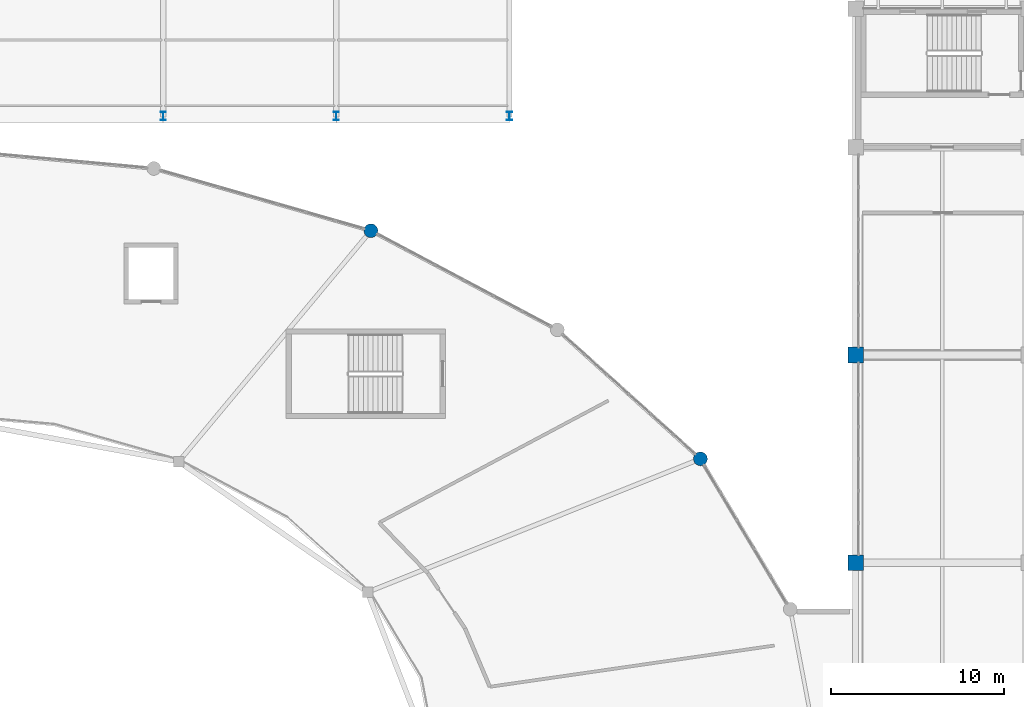
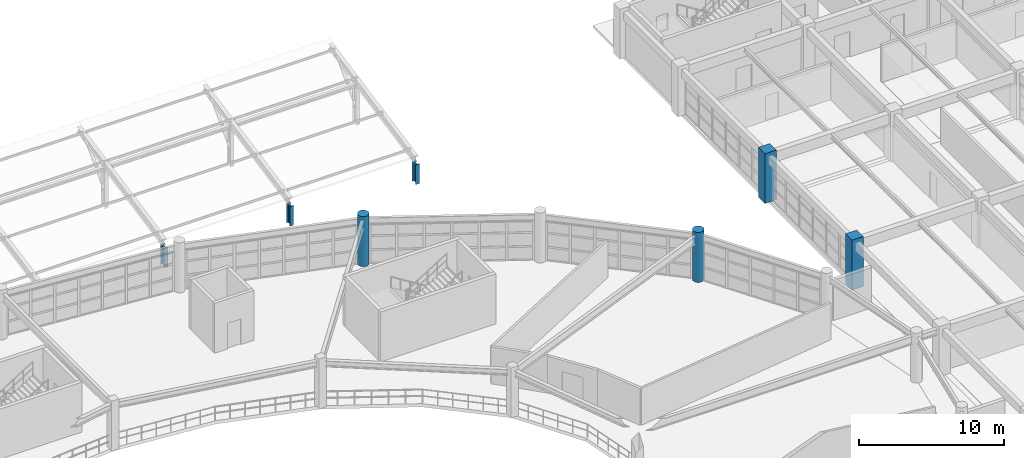
# One storey, part 13 of 100: 7 columns.
"""IFC4 building model written with IfcOpenShell, lengths in metres."""

from ifc_helpers import new_model, si_unit, direction, frame, origin, origin_2d, place, context, subcontext, project, spatial, rectangle, circle, i_section, extrude, material, material_profile, profile_set, type_object, element, save


model = new_model("IFC4")

# Units and contexts
model_context = context("Model", 3, precision=1e-05, world=origin(), true_north=direction((0.0, 1.0)))
body_context = subcontext(model_context, "Body", "Model", "MODEL_VIEW")
ifc_project = project(units=[si_unit("LENGTHUNIT", "METRE"), si_unit("AREAUNIT", "SQUARE_METRE"), si_unit("VOLUMEUNIT", "CUBIC_METRE"), si_unit("PLANEANGLEUNIT", "RADIAN"), si_unit("MASSUNIT", "GRAM", prefix="KILO")], contexts=[model_context])

# Site, building, storey
site_placement = place(None, origin())
site = spatial("IfcSite", under=ifc_project, at=site_placement, CompositionType="ELEMENT")
building_placement = place(site_placement, origin())
building = spatial("IfcBuilding", under=site, at=building_placement, Name="Kivolera Central Railway Station", CompositionType="ELEMENT")
storey_placement = place(building_placement, frame((0.0, 0.0, 5.39990234375)))
storey = spatial("IfcBuildingStorey", under=building, at=storey_placement, Name="L01", CompositionType="ELEMENT", Elevation=5.39990234375)

# Columns
ifc_material_1 = material(Name="Concrete C40/50", Category="concrete")
ifc_material_profile_1 = material_profile(ifc_material_1, rectangle(XDim=0.89990234375, YDim=0.89990234375, at=origin_2d()), Name="RC 900x900")
ifc_profile_set_1 = profile_set([ifc_material_profile_1], Name="Concrete C40/50")
column_type_1 = type_object("IfcColumnType", Name="COL-RC-900", PredefinedType="COLUMN", material=ifc_profile_set_1)
for number, where, z_axis, x_axis, name in (
    (1, (118.0, 102.0, 0.0), (0.0, 0.0, 1.0), (1.0, 0.0, 0.0), "L01 Wing Column 12-J"),
    (2, (118.0, 114.0, 0.0), (0.0, 0.0, 1.0), (1.0, 0.0, 0.0), "L01 Wing Column 12-K"),
):
    element("IfcColumn", number, at=place(storey_placement, frame(where, z_axis=z_axis, x_axis=x_axis)), inside=storey, type_object=column_type_1, Name=name, PredefinedType="COLUMN", context=body_context, shape_type="SweptSolid", body=[
        extrude(rectangle(XDim=0.89990234375, YDim=0.89990234375, at=origin_2d()), origin(), (0.0, 0.0, 1.0), 4.2001953125),
    ])
ifc_material_profile_2 = material_profile(ifc_material_1, circle(Radius=0.39990234375, at=origin_2d()), Name="RC D800")
ifc_profile_set_2 = profile_set([ifc_material_profile_2], Name="Concrete C40/50")
column_type_2 = type_object("IfcColumnType", Name="COL-RC-D800", PredefinedType="COLUMN", material=ifc_profile_set_2)
for number, where, z_axis, x_axis, name in (
    (3, (109.032958984375, 108.0, 0.0), (0.0, 0.0, 1.0), (1.0, 0.0, 0.0), "L01 Oval Drum Perimeter Column P03"),
    (4, (90.0, 121.177001953125, 0.0), (0.0, 0.0, 1.0), (1.0, 0.0, 0.0), "L01 Oval Drum Perimeter Column P05"),
):
    element("IfcColumn", number, at=place(storey_placement, frame(where, z_axis=z_axis, x_axis=x_axis)), inside=storey, type_object=column_type_2, Name=name, PredefinedType="COLUMN", context=body_context, shape_type="SweptSolid", body=[
        extrude(circle(Radius=0.39990234375, at=origin_2d()), origin(), (0.0, 0.0, 1.0), 4.2001953125),
    ])
ifc_material_2 = material(Name="Steel S355", Category="steel")
ifc_material_profile_3 = material_profile(ifc_material_2, i_section(OverallWidth=0.300048828125, OverallDepth=0.5, WebThickness=0.014404296875, FlangeThickness=0.028076171875, FilletRadius=0.027099609375, at=origin_2d()), Name="HEB 500")
ifc_profile_set_3 = profile_set([ifc_material_profile_3], Name="Steel S355")
column_type_3 = type_object("IfcColumnType", Name="COL-STL-HEB500", PredefinedType="COLUMN", material=ifc_profile_set_3)
for number, where, z_axis, x_axis, name in (
    (5, (78.0, 127.800048828125, 0.0), (0.0, 0.0, 1.0), (1.0, 0.0, 0.0), "L01 Forecourt Canopy Upper Pier 6S"),
    (6, (88.0, 127.800048828125, 0.0), (0.0, 0.0, 1.0), (1.0, 0.0, 0.0), "L01 Forecourt Canopy Upper Pier 7S"),
    (7, (98.0, 127.800048828125, 0.0), (0.0, 0.0, 1.0), (1.0, 0.0, 0.0), "L01 Forecourt Canopy Upper Pier 8S"),
):
    element("IfcColumn", number, at=place(storey_placement, frame(where, z_axis=z_axis, x_axis=x_axis)), inside=storey, type_object=column_type_3, Name=name, PredefinedType="COLUMN", context=body_context, shape_type="SweptSolid", body=[
        extrude(i_section(OverallWidth=0.300048828125, OverallDepth=0.5, WebThickness=0.014404296875, FlangeThickness=0.028076171875, FilletRadius=0.027099609375, at=origin_2d()), origin(), (0.0, 0.0, 1.0), 1.66015625),
    ])

save(model, "model.ifc")
